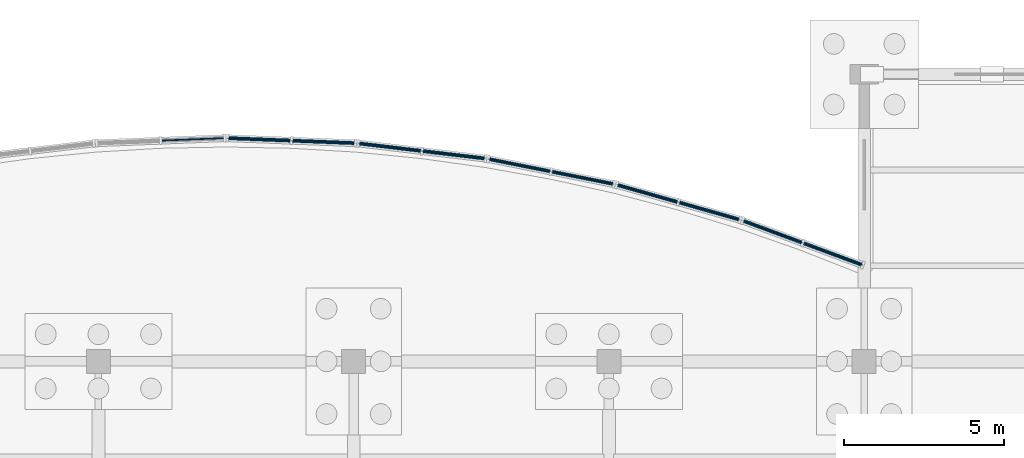
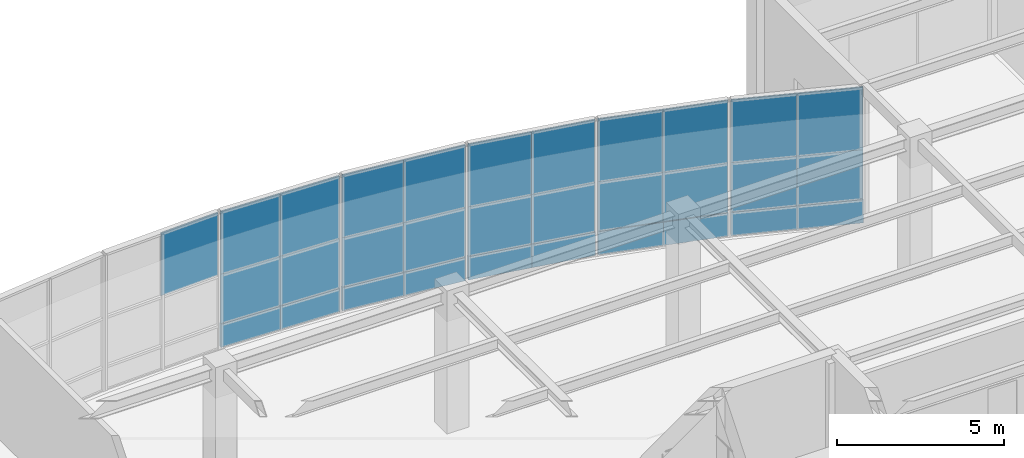
# One storey, part 58 of 85: 31 plates, 6 elements without a shape of their own.
"""IFC4 building model written with IfcOpenShell, lengths in metres."""

from ifc_helpers import new_model, si_unit, direction, frame, origin, origin_2d, place, context, subcontext, project, spatial, rectangle, extrude, material, layer, layer_set, type_object, element, aggregate, save


model = new_model("IFC4")

# Units and contexts
model_context = context("Model", 3, precision=1e-05, world=origin(), true_north=direction((0.0, 1.0)))
body_context = subcontext(model_context, "Body", "Model", "MODEL_VIEW")
ifc_project = project(units=[si_unit("LENGTHUNIT", "METRE"), si_unit("AREAUNIT", "SQUARE_METRE"), si_unit("VOLUMEUNIT", "CUBIC_METRE"), si_unit("PLANEANGLEUNIT", "RADIAN"), si_unit("MASSUNIT", "GRAM", prefix="KILO")], contexts=[model_context])

# Site, building, storey
site_placement = place(None, origin())
site = spatial("IfcSite", under=ifc_project, at=site_placement, CompositionType="ELEMENT")
building_placement = place(site_placement, origin())
building = spatial("IfcBuilding", under=site, at=building_placement, Name="Keelwater Ferry Terminal", CompositionType="ELEMENT")
storey_placement = place(building_placement, origin())
storey = spatial("IfcBuildingStorey", under=building, at=storey_placement, Name="L00", CompositionType="ELEMENT", Elevation=0.0)

# Curtain wall, plates
ifc_material_1 = material(Name="Thermally broken unitised aluminium and triple glass", Category="aluminium")
ifc_layer_1 = layer(ifc_material_1, 0.179931640625)
ifc_layer_set_1 = layer_set([ifc_layer_1], Name="Thermally broken unitised aluminium and triple glass")
curtain_wall_type = type_object("IfcCurtainWallType", Name="CW-20 Unitised Curtain Wall 4015x4950", PredefinedType="USERDEFINED", material=ifc_layer_set_1)
curtain_wall_1_placement = place(storey_placement, origin())
curtain_wall_1 = element("IfcCurtainWall", 1, at=curtain_wall_1_placement, inside=storey, type_object=curtain_wall_type, Name="Unitised Curtain Wall CW-L00-173", ObjectType="UNITISED CURTAIN WALL", PredefinedType="USERDEFINED")
ifc_material_2 = material(Name="Insulated terracotta shadow-box spandrel", Category="masonry")
ifc_layer_2 = layer(ifc_material_2, 0.110107421875)
ifc_layer_set_2 = layer_set([ifc_layer_2], Name="Insulated terracotta shadow-box spandrel")
plate_type_1 = type_object("IfcPlateType", Name="CWP-S3 Insulated Spandrel Panel 110", PredefinedType="CURTAIN_PANEL", material=ifc_layer_set_2)
plate_1_placement = place(storey_placement, frame((171.01708984375, 120.364990234375, 0.0), z_axis=(0.0, 0.0, 1.0), x_axis=(-0.937592418253, 0.347736189136, 0.0)))
plate_1 = element("IfcPlate", 2, at=plate_1_placement, type_object=plate_type_1, Name="CW-L00-173 Panel 1.1", PredefinedType="CURTAIN_PANEL", context=body_context, shape_type="SweptSolid", body=[
    extrude(rectangle(XDim=2.00732421875, YDim=0.110107421875, at=origin_2d()), origin(), (0.0, 0.0, 1.0), 0.85009765625),
])
plate_2_placement = place(storey_placement, frame((169.135009765625, 121.06298828125, 0.0), z_axis=(0.0, 0.0, 1.0), x_axis=(-0.937592418253, 0.347736189136, 0.0)))
plate_2 = element("IfcPlate", 3, at=plate_2_placement, type_object=plate_type_1, Name="CW-L00-173 Panel 2.1", PredefinedType="CURTAIN_PANEL", context=body_context, shape_type="SweptSolid", body=[
    extrude(rectangle(XDim=2.00732421875, YDim=0.110107421875, at=origin_2d()), origin(), (0.0, 0.0, 1.0), 0.85009765625),
])

curtain_wall_2_placement = place(storey_placement, origin())
curtain_wall_2 = element("IfcCurtainWall", 4, at=curtain_wall_2_placement, inside=storey, type_object=curtain_wall_type, Name="Unitised Curtain Wall CW-L00-174", ObjectType="UNITISED CURTAIN WALL", PredefinedType="USERDEFINED")
plate_3_placement = place(storey_placement, frame((167.143310546875, 121.714111328125, 0.0), z_axis=(0.0, 0.0, 1.0), x_axis=(-0.962029778706, 0.272944508797, 0.0)))
plate_3 = element("IfcPlate", 5, at=plate_3_placement, type_object=plate_type_1, Name="CW-L00-174 Panel 1.1", PredefinedType="CURTAIN_PANEL", context=body_context, shape_type="SweptSolid", body=[
    extrude(rectangle(XDim=2.0078125, YDim=0.110107421875, at=origin_2d()), origin(), (0.0, 0.0, 1.0), 0.85009765625),
])
plate_4_placement = place(storey_placement, frame((165.211669921875, 122.261962890625, 0.0), z_axis=(0.0, 0.0, 1.0), x_axis=(-0.962029778706, 0.272944508797, 0.0)))
plate_4 = element("IfcPlate", 6, at=plate_4_placement, type_object=plate_type_1, Name="CW-L00-174 Panel 2.1", PredefinedType="CURTAIN_PANEL", context=body_context, shape_type="SweptSolid", body=[
    extrude(rectangle(XDim=2.0078125, YDim=0.110107421875, at=origin_2d()), origin(), (0.0, 0.0, 1.0), 0.85009765625),
])

curtain_wall_3_placement = place(storey_placement, origin())
curtain_wall_3 = element("IfcCurtainWall", 7, at=curtain_wall_3_placement, inside=storey, type_object=curtain_wall_type, Name="Unitised Curtain Wall CW-L00-175", ObjectType="UNITISED CURTAIN WALL", PredefinedType="USERDEFINED")
plate_5_placement = place(storey_placement, frame((163.1748046875, 122.753662109375, 0.0), z_axis=(0.0, 0.0, 1.0), x_axis=(-0.98059983046, 0.196020336958, 0.0)))
plate_5 = element("IfcPlate", 8, at=plate_5_placement, type_object=plate_type_1, Name="CW-L00-175 Panel 1.1", PredefinedType="CURTAIN_PANEL", context=body_context, shape_type="SweptSolid", body=[
    extrude(rectangle(XDim=2.00732421875, YDim=0.110107421875, at=origin_2d()), origin(), (0.0, 0.0, 1.0), 0.85009765625),
])
plate_6_placement = place(storey_placement, frame((161.206298828125, 123.147216796875, 0.0), z_axis=(0.0, 0.0, 1.0), x_axis=(-0.98059983046, 0.196020336958, 0.0)))
plate_6 = element("IfcPlate", 9, at=plate_6_placement, type_object=plate_type_1, Name="CW-L00-175 Panel 2.1", PredefinedType="CURTAIN_PANEL", context=body_context, shape_type="SweptSolid", body=[
    extrude(rectangle(XDim=2.00732421875, YDim=0.110107421875, at=origin_2d()), origin(), (0.0, 0.0, 1.0), 0.85009765625),
])

curtain_wall_4_placement = place(storey_placement, origin())
curtain_wall_4 = element("IfcCurtainWall", 10, at=curtain_wall_4_placement, inside=storey, type_object=curtain_wall_type, Name="Unitised Curtain Wall CW-L00-176", ObjectType="UNITISED CURTAIN WALL", PredefinedType="USERDEFINED")
plate_7_placement = place(storey_placement, frame((159.136474609375, 123.476806640625, 0.0), z_axis=(0.0, 0.0, 1.0), x_axis=(-0.992974342459, 0.118329857676, 0.0)))
plate_7 = element("IfcPlate", 11, at=plate_7_placement, type_object=plate_type_1, Name="CW-L00-176 Panel 1.1", PredefinedType="CURTAIN_PANEL", context=body_context, shape_type="SweptSolid", body=[
    extrude(rectangle(XDim=2.007080078125, YDim=0.110107421875, at=origin_2d()), origin(), (0.0, 0.0, 1.0), 0.85009765625),
])
plate_8_placement = place(storey_placement, frame((157.1435546875, 123.71435546875, 0.0), z_axis=(0.0, 0.0, 1.0), x_axis=(-0.992974342459, 0.118329857676, 0.0)))
plate_8 = element("IfcPlate", 12, at=plate_8_placement, type_object=plate_type_1, Name="CW-L00-176 Panel 2.1", PredefinedType="CURTAIN_PANEL", context=body_context, shape_type="SweptSolid", body=[
    extrude(rectangle(XDim=2.007080078125, YDim=0.110107421875, at=origin_2d()), origin(), (0.0, 0.0, 1.0), 0.85009765625),
])

curtain_wall_5_placement = place(storey_placement, origin())
curtain_wall_5 = element("IfcCurtainWall", 13, at=curtain_wall_5_placement, inside=storey, type_object=curtain_wall_type, Name="Unitised Curtain Wall CW-L00-177", ObjectType="UNITISED CURTAIN WALL", PredefinedType="USERDEFINED")
plate_9_placement = place(storey_placement, frame((155.053955078125, 123.87939453125, 0.0), z_axis=(0.0, 0.0, 1.0), x_axis=(-0.999225435626, 0.039351350652, 0.0)))
plate_9 = element("IfcPlate", 14, at=plate_9_placement, type_object=plate_type_1, Name="CW-L00-177 Panel 1.1", PredefinedType="CURTAIN_PANEL", context=body_context, shape_type="SweptSolid", body=[
    extrude(rectangle(XDim=2.007568359375, YDim=0.110107421875, at=origin_2d()), origin(), (0.0, 0.0, 1.0), 0.85009765625),
])
plate_10_placement = place(storey_placement, frame((153.048095703125, 123.95849609375, 0.0), z_axis=(0.0, 0.0, 1.0), x_axis=(-0.999225435626, 0.039351350652, 0.0)))
plate_10 = element("IfcPlate", 15, at=plate_10_placement, type_object=plate_type_1, Name="CW-L00-177 Panel 2.1", PredefinedType="CURTAIN_PANEL", context=body_context, shape_type="SweptSolid", body=[
    extrude(rectangle(XDim=2.007568359375, YDim=0.110107421875, at=origin_2d()), origin(), (0.0, 0.0, 1.0), 0.85009765625),
])

# Plate
ifc_material_3 = material(Name="Triple low-E laminated glass", Category="glass")
ifc_layer_3 = layer(ifc_material_3, 0.035888671875)
ifc_layer_set_3 = layer_set([ifc_layer_3], Name="Triple low-E laminated glass")
plate_type_2 = type_object("IfcPlateType", Name="CWP-V1 Glazed Vision Panel 36", PredefinedType="CURTAIN_PANEL", material=ifc_layer_set_3)
plate_11_placement = place(storey_placement, frame((171.01708984375, 120.364990234375, 0.85009765625), z_axis=(0.0, 0.0, 1.0), x_axis=(-0.937592418253, 0.347736189136, 0.0)))
plate_11 = element("IfcPlate", 16, at=plate_11_placement, type_object=plate_type_2, Name="CW-L00-173 Panel 1.2", PredefinedType="CURTAIN_PANEL", context=body_context, shape_type="SweptSolid", body=[
    extrude(rectangle(XDim=2.00732421875, YDim=0.035888671875, at=origin_2d()), origin(), (0.0, 0.0, 1.0), 1.800048828125),
])

plate_12_placement = place(storey_placement, frame((171.01708984375, 120.364990234375, 2.64990234375), z_axis=(0.0, 0.0, 1.0), x_axis=(-0.937592418253, 0.347736189136, 0.0)))
plate_12 = element("IfcPlate", 17, at=plate_12_placement, type_object=plate_type_2, Name="CW-L00-173 Panel 1.3", PredefinedType="CURTAIN_PANEL", context=body_context, shape_type="SweptSolid", body=[
    extrude(rectangle(XDim=2.00732421875, YDim=0.035888671875, at=origin_2d()), origin(), (0.0, 0.0, 1.0), 2.300048828125),
])

plate_13_placement = place(storey_placement, frame((169.135009765625, 121.06298828125, 0.85009765625), z_axis=(0.0, 0.0, 1.0), x_axis=(-0.937592418253, 0.347736189136, 0.0)))
plate_13 = element("IfcPlate", 18, at=plate_13_placement, type_object=plate_type_2, Name="CW-L00-173 Panel 2.2", PredefinedType="CURTAIN_PANEL", context=body_context, shape_type="SweptSolid", body=[
    extrude(rectangle(XDim=2.00732421875, YDim=0.035888671875, at=origin_2d()), origin(), (0.0, 0.0, 1.0), 1.800048828125),
])

plate_14_placement = place(storey_placement, frame((169.135009765625, 121.06298828125, 2.64990234375), z_axis=(0.0, 0.0, 1.0), x_axis=(-0.937592418253, 0.347736189136, 0.0)))
plate_14 = element("IfcPlate", 19, at=plate_14_placement, type_object=plate_type_2, Name="CW-L00-173 Panel 2.3", PredefinedType="CURTAIN_PANEL", context=body_context, shape_type="SweptSolid", body=[
    extrude(rectangle(XDim=2.00732421875, YDim=0.035888671875, at=origin_2d()), origin(), (0.0, 0.0, 1.0), 2.300048828125),
])

aggregate(curtain_wall_1, [plate_1, plate_11, plate_12, plate_2, plate_13, plate_14])

plate_15_placement = place(storey_placement, frame((167.143310546875, 121.714111328125, 0.85009765625), z_axis=(0.0, 0.0, 1.0), x_axis=(-0.962029778706, 0.272944508797, 0.0)))
plate_15 = element("IfcPlate", 20, at=plate_15_placement, type_object=plate_type_2, Name="CW-L00-174 Panel 1.2", PredefinedType="CURTAIN_PANEL", context=body_context, shape_type="SweptSolid", body=[
    extrude(rectangle(XDim=2.0078125, YDim=0.035888671875, at=origin_2d()), origin(), (0.0, 0.0, 1.0), 1.800048828125),
])

plate_16_placement = place(storey_placement, frame((167.143310546875, 121.714111328125, 2.64990234375), z_axis=(0.0, 0.0, 1.0), x_axis=(-0.962029778706, 0.272944508797, 0.0)))
plate_16 = element("IfcPlate", 21, at=plate_16_placement, type_object=plate_type_2, Name="CW-L00-174 Panel 1.3", PredefinedType="CURTAIN_PANEL", context=body_context, shape_type="SweptSolid", body=[
    extrude(rectangle(XDim=2.0078125, YDim=0.035888671875, at=origin_2d()), origin(), (0.0, 0.0, 1.0), 2.300048828125),
])

plate_17_placement = place(storey_placement, frame((165.211669921875, 122.261962890625, 0.85009765625), z_axis=(0.0, 0.0, 1.0), x_axis=(-0.962029778706, 0.272944508797, 0.0)))
plate_17 = element("IfcPlate", 22, at=plate_17_placement, type_object=plate_type_2, Name="CW-L00-174 Panel 2.2", PredefinedType="CURTAIN_PANEL", context=body_context, shape_type="SweptSolid", body=[
    extrude(rectangle(XDim=2.0078125, YDim=0.035888671875, at=origin_2d()), origin(), (0.0, 0.0, 1.0), 1.800048828125),
])

plate_18_placement = place(storey_placement, frame((165.211669921875, 122.261962890625, 2.64990234375), z_axis=(0.0, 0.0, 1.0), x_axis=(-0.962029778706, 0.272944508797, 0.0)))
plate_18 = element("IfcPlate", 23, at=plate_18_placement, type_object=plate_type_2, Name="CW-L00-174 Panel 2.3", PredefinedType="CURTAIN_PANEL", context=body_context, shape_type="SweptSolid", body=[
    extrude(rectangle(XDim=2.0078125, YDim=0.035888671875, at=origin_2d()), origin(), (0.0, 0.0, 1.0), 2.300048828125),
])

aggregate(curtain_wall_2, [plate_3, plate_15, plate_16, plate_4, plate_17, plate_18])

plate_19_placement = place(storey_placement, frame((163.1748046875, 122.753662109375, 0.85009765625), z_axis=(0.0, 0.0, 1.0), x_axis=(-0.98059983046, 0.196020336958, 0.0)))
plate_19 = element("IfcPlate", 24, at=plate_19_placement, type_object=plate_type_2, Name="CW-L00-175 Panel 1.2", PredefinedType="CURTAIN_PANEL", context=body_context, shape_type="SweptSolid", body=[
    extrude(rectangle(XDim=2.00732421875, YDim=0.035888671875, at=origin_2d()), origin(), (0.0, 0.0, 1.0), 1.800048828125),
])

plate_20_placement = place(storey_placement, frame((163.1748046875, 122.753662109375, 2.64990234375), z_axis=(0.0, 0.0, 1.0), x_axis=(-0.98059983046, 0.196020336958, 0.0)))
plate_20 = element("IfcPlate", 25, at=plate_20_placement, type_object=plate_type_2, Name="CW-L00-175 Panel 1.3", PredefinedType="CURTAIN_PANEL", context=body_context, shape_type="SweptSolid", body=[
    extrude(rectangle(XDim=2.00732421875, YDim=0.035888671875, at=origin_2d()), origin(), (0.0, 0.0, 1.0), 2.300048828125),
])

plate_21_placement = place(storey_placement, frame((161.206298828125, 123.147216796875, 0.85009765625), z_axis=(0.0, 0.0, 1.0), x_axis=(-0.98059983046, 0.196020336958, 0.0)))
plate_21 = element("IfcPlate", 26, at=plate_21_placement, type_object=plate_type_2, Name="CW-L00-175 Panel 2.2", PredefinedType="CURTAIN_PANEL", context=body_context, shape_type="SweptSolid", body=[
    extrude(rectangle(XDim=2.00732421875, YDim=0.035888671875, at=origin_2d()), origin(), (0.0, 0.0, 1.0), 1.800048828125),
])

plate_22_placement = place(storey_placement, frame((161.206298828125, 123.147216796875, 2.64990234375), z_axis=(0.0, 0.0, 1.0), x_axis=(-0.98059983046, 0.196020336958, 0.0)))
plate_22 = element("IfcPlate", 27, at=plate_22_placement, type_object=plate_type_2, Name="CW-L00-175 Panel 2.3", PredefinedType="CURTAIN_PANEL", context=body_context, shape_type="SweptSolid", body=[
    extrude(rectangle(XDim=2.00732421875, YDim=0.035888671875, at=origin_2d()), origin(), (0.0, 0.0, 1.0), 2.300048828125),
])

aggregate(curtain_wall_3, [plate_5, plate_19, plate_20, plate_6, plate_21, plate_22])

plate_23_placement = place(storey_placement, frame((159.136474609375, 123.476806640625, 0.85009765625), z_axis=(0.0, 0.0, 1.0), x_axis=(-0.992974342459, 0.118329857676, 0.0)))
plate_23 = element("IfcPlate", 28, at=plate_23_placement, type_object=plate_type_2, Name="CW-L00-176 Panel 1.2", PredefinedType="CURTAIN_PANEL", context=body_context, shape_type="SweptSolid", body=[
    extrude(rectangle(XDim=2.007080078125, YDim=0.035888671875, at=origin_2d()), origin(), (0.0, 0.0, 1.0), 1.800048828125),
])

plate_24_placement = place(storey_placement, frame((159.136474609375, 123.476806640625, 2.64990234375), z_axis=(0.0, 0.0, 1.0), x_axis=(-0.992974342459, 0.118329857676, 0.0)))
plate_24 = element("IfcPlate", 29, at=plate_24_placement, type_object=plate_type_2, Name="CW-L00-176 Panel 1.3", PredefinedType="CURTAIN_PANEL", context=body_context, shape_type="SweptSolid", body=[
    extrude(rectangle(XDim=2.007080078125, YDim=0.035888671875, at=origin_2d()), origin(), (0.0, 0.0, 1.0), 2.300048828125),
])

plate_25_placement = place(storey_placement, frame((157.1435546875, 123.71435546875, 0.85009765625), z_axis=(0.0, 0.0, 1.0), x_axis=(-0.992974342459, 0.118329857676, 0.0)))
plate_25 = element("IfcPlate", 30, at=plate_25_placement, type_object=plate_type_2, Name="CW-L00-176 Panel 2.2", PredefinedType="CURTAIN_PANEL", context=body_context, shape_type="SweptSolid", body=[
    extrude(rectangle(XDim=2.007080078125, YDim=0.035888671875, at=origin_2d()), origin(), (0.0, 0.0, 1.0), 1.800048828125),
])

plate_26_placement = place(storey_placement, frame((157.1435546875, 123.71435546875, 2.64990234375), z_axis=(0.0, 0.0, 1.0), x_axis=(-0.992974342459, 0.118329857676, 0.0)))
plate_26 = element("IfcPlate", 31, at=plate_26_placement, type_object=plate_type_2, Name="CW-L00-176 Panel 2.3", PredefinedType="CURTAIN_PANEL", context=body_context, shape_type="SweptSolid", body=[
    extrude(rectangle(XDim=2.007080078125, YDim=0.035888671875, at=origin_2d()), origin(), (0.0, 0.0, 1.0), 2.300048828125),
])

aggregate(curtain_wall_4, [plate_7, plate_23, plate_24, plate_8, plate_25, plate_26])

plate_27_placement = place(storey_placement, frame((155.053955078125, 123.87939453125, 0.85009765625), z_axis=(0.0, 0.0, 1.0), x_axis=(-0.999225435626, 0.039351350652, 0.0)))
plate_27 = element("IfcPlate", 32, at=plate_27_placement, type_object=plate_type_2, Name="CW-L00-177 Panel 1.2", PredefinedType="CURTAIN_PANEL", context=body_context, shape_type="SweptSolid", body=[
    extrude(rectangle(XDim=2.007568359375, YDim=0.035888671875, at=origin_2d()), origin(), (0.0, 0.0, 1.0), 1.800048828125),
])

plate_28_placement = place(storey_placement, frame((155.053955078125, 123.87939453125, 2.64990234375), z_axis=(0.0, 0.0, 1.0), x_axis=(-0.999225435626, 0.039351350652, 0.0)))
plate_28 = element("IfcPlate", 33, at=plate_28_placement, type_object=plate_type_2, Name="CW-L00-177 Panel 1.3", PredefinedType="CURTAIN_PANEL", context=body_context, shape_type="SweptSolid", body=[
    extrude(rectangle(XDim=2.007568359375, YDim=0.035888671875, at=origin_2d()), origin(), (0.0, 0.0, 1.0), 2.300048828125),
])

plate_29_placement = place(storey_placement, frame((153.048095703125, 123.95849609375, 0.85009765625), z_axis=(0.0, 0.0, 1.0), x_axis=(-0.999225435626, 0.039351350652, 0.0)))
plate_29 = element("IfcPlate", 34, at=plate_29_placement, type_object=plate_type_2, Name="CW-L00-177 Panel 2.2", PredefinedType="CURTAIN_PANEL", context=body_context, shape_type="SweptSolid", body=[
    extrude(rectangle(XDim=2.007568359375, YDim=0.035888671875, at=origin_2d()), origin(), (0.0, 0.0, 1.0), 1.800048828125),
])

plate_30_placement = place(storey_placement, frame((153.048095703125, 123.95849609375, 2.64990234375), z_axis=(0.0, 0.0, 1.0), x_axis=(-0.999225435626, 0.039351350652, 0.0)))
plate_30 = element("IfcPlate", 35, at=plate_30_placement, type_object=plate_type_2, Name="CW-L00-177 Panel 2.3", PredefinedType="CURTAIN_PANEL", context=body_context, shape_type="SweptSolid", body=[
    extrude(rectangle(XDim=2.007568359375, YDim=0.035888671875, at=origin_2d()), origin(), (0.0, 0.0, 1.0), 2.300048828125),
])

aggregate(curtain_wall_5, [plate_9, plate_27, plate_28, plate_10, plate_29, plate_30])

# Curtain wall, plate
curtain_wall_6_placement = place(storey_placement, origin())
curtain_wall_6 = element("IfcCurtainWall", 36, at=curtain_wall_6_placement, inside=storey, type_object=curtain_wall_type, Name="Unitised Curtain Wall CW-L00-178", ObjectType="UNITISED CURTAIN WALL", PredefinedType="USERDEFINED")
plate_31_placement = place(storey_placement, frame((150.951904296875, 123.95849609375, 2.64990234375), z_axis=(0.0, 0.0, 1.0), x_axis=(-0.999225435626, -0.039351350652, 0.0)))
plate_31 = element("IfcPlate", 37, at=plate_31_placement, type_object=plate_type_2, Name="CW-L00-178 Panel 1.3", PredefinedType="CURTAIN_PANEL", context=body_context, shape_type="SweptSolid", body=[
    extrude(rectangle(XDim=2.007568359375, YDim=0.035888671875, at=origin_2d()), origin(), (0.0, 0.0, 1.0), 2.300048828125),
])
aggregate(curtain_wall_6, [plate_31])

save(model, "model.ifc")
